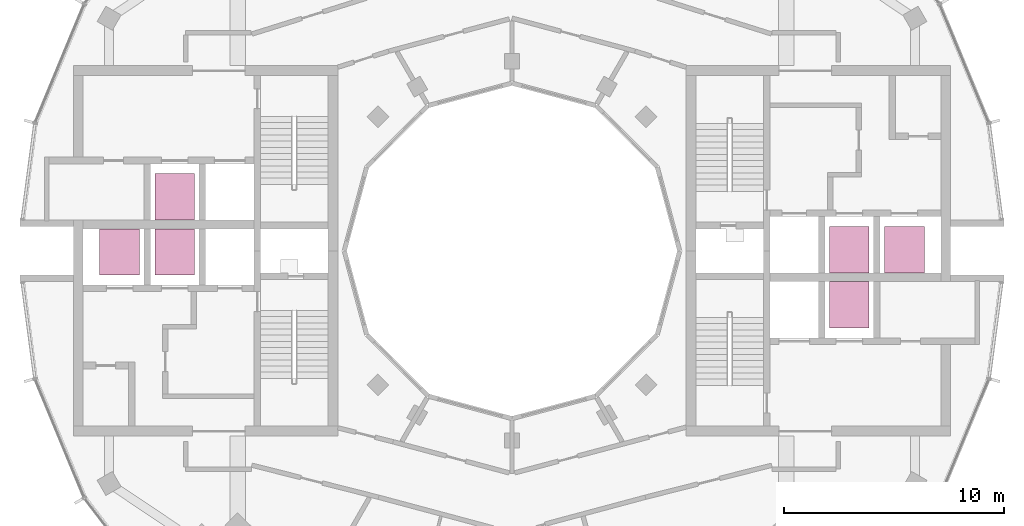
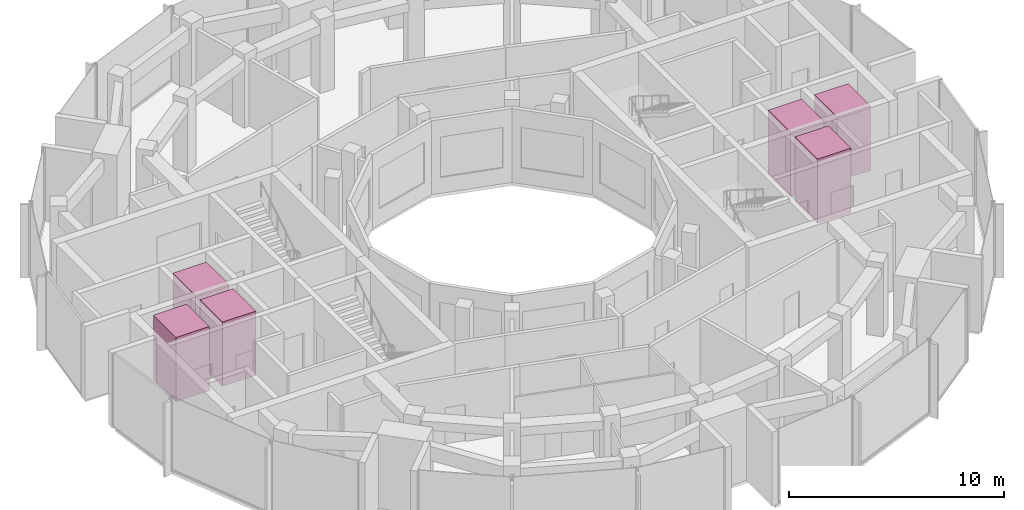
# One storey, part 13 of 13: 6 transport elements.
"""IFC4 building model written with IfcOpenShell, lengths in metres."""

import ifcopenshell
import ifcopenshell.guid

model = None  # the IFC model being written
_history = None  # IfcOwnerHistory: only IFC2X3 demands one
_inside = {}  # id of a spatial element -> (the spatial element, [elements in it])
_under = {}  # id of a project, library or spatial element -> (it, [spatial elements below it])
_declared = {}  # id of a project -> (the project, [libraries it declares])
_typed = {}  # id of a type object -> (the type object, [elements of that type])
_made_of = {}  # id of a material, layer set ... -> (it, [elements and type objects made of it])


def new_model(schema):
    """Start an empty IFC model of exactly this schema.

    Asked for "IFC4X3", IfcOpenShell would pick the latest addendum, in which some entities
    have other attributes; the version numbers below select the first issue.
    IFC2X3 requires an IfcOwnerHistory on every rooted entity: one is made here for all.
    """
    global model, _history
    if schema == "IFC4X3":
        model = ifcopenshell.file(schema_version=(4, 3, 0, 0))
    else:
        model = ifcopenshell.file(schema=schema)
    _inside.clear()
    _under.clear()
    _declared.clear()
    _typed.clear()
    _made_of.clear()
    _history = None
    if model.schema == "IFC2X3":
        org = make("IfcOrganization", Name="unknown")
        user = make(
            "IfcPersonAndOrganization",
            ThePerson=make("IfcPerson", FamilyName="unknown"),
            TheOrganization=org,
        )
        app = make(
            "IfcApplication",
            ApplicationDeveloper=org,
            Version="unknown",
            ApplicationFullName="unknown",
            ApplicationIdentifier="unknown",
        )
        _history = make(
            "IfcOwnerHistory",
            OwningUser=user,
            OwningApplication=app,
            ChangeAction="ADDED",
            CreationDate=0,
        )
    return model


def make(cls, **values):
    """One entity of the class cls with the attributes given. An attribute that is None is left unset."""
    return model.create_entity(
        cls, **{name: value for name, value in values.items() if value is not None}
    )


def rooted(cls, **values):
    """An entity with a GlobalId (a new one), such as an element, a storey or a relation."""
    return make(cls, GlobalId=ifcopenshell.guid.new(), OwnerHistory=_history, **values)


def si_unit(unit_type, name, prefix=None):
    """IfcSIUnit, for example si_unit("LENGTHUNIT", "METRE", prefix="MILLI")."""
    return make("IfcSIUnit", UnitType=unit_type, Prefix=prefix, Name=name)


def assignment(units):
    """IfcUnitAssignment: the units of a project."""
    return None if units is None else make("IfcUnitAssignment", Units=units)


def point(xyz):
    """IfcCartesianPoint."""
    return None if xyz is None else make("IfcCartesianPoint", Coordinates=xyz)


def direction(xyz):
    """IfcDirection."""
    return None if xyz is None else make("IfcDirection", DirectionRatios=xyz)


def frame(location, z_axis=None, x_axis=None):
    """IfcAxis2Placement3D, a coordinate frame: its origin and axes. An axis left out is left unset."""
    return make(
        "IfcAxis2Placement3D",
        Location=point(location),
        Axis=direction(z_axis),
        RefDirection=direction(x_axis),
    )


def frame_2d(location, x_axis=None):
    """IfcAxis2Placement2D, a coordinate frame in the plane: its origin and x axis."""
    return make(
        "IfcAxis2Placement2D", Location=point(location), RefDirection=direction(x_axis)
    )


def origin():
    """The frame at (0, 0, 0) with its axes left unset."""
    return frame((0.0, 0.0, 0.0))


def origin_2d():
    """The frame at (0, 0) in the plane with its x axis left unset."""
    return frame_2d((0.0, 0.0))


def place(relative_to, where):
    """IfcLocalPlacement: puts the frame where relative to a parent placement (None: the world)."""
    return make(
        "IfcLocalPlacement", PlacementRelTo=relative_to, RelativePlacement=where
    )


def context(
    kind, dimensions, precision=None, world=None, true_north=None, identifier=None
):
    """IfcGeometricRepresentationContext, for example the 3D "Model" context."""
    return make(
        "IfcGeometricRepresentationContext",
        ContextIdentifier=identifier,
        ContextType=kind,
        CoordinateSpaceDimension=dimensions,
        Precision=precision,
        WorldCoordinateSystem=world,
        TrueNorth=true_north,
    )


def subcontext(parent, identifier, kind, view, scale=None):
    """IfcGeometricRepresentationSubContext, for example "Body" below "Model"."""
    return make(
        "IfcGeometricRepresentationSubContext",
        ContextIdentifier=identifier,
        ContextType=kind,
        ParentContext=parent,
        TargetScale=scale,
        TargetView=view,
    )


def project(units=None, contexts=None):
    """IfcProject with its units and contexts."""
    return rooted(
        "IfcProject",
        Name="project",
        RepresentationContexts=contexts,
        UnitsInContext=assignment(units),
    )


def spatial(cls, under=None, at=None, **own):
    """A site, building, storey or space (cls), placed at a placement, below another one or the project."""
    s = rooted(cls, ObjectPlacement=at, **own)
    if under is not None:
        _under.setdefault(under.id(), (under, []))[1].append(s)
    return s


def profile(cls, at=None, kind="AREA", **sizes):
    """A parametric profile (cls). Its sizes go by their IFC names, for example OverallWidth=200.0."""
    return make(cls, ProfileType=kind, Position=at, **sizes)


def rectangle(**sizes):
    """IfcRectangleProfileDef."""
    return profile("IfcRectangleProfileDef", **sizes)


def extrude(swept, where, along, depth):
    """IfcExtrudedAreaSolid: the profile swept, set in the frame where, extruded along a direction by depth."""
    return make(
        "IfcExtrudedAreaSolid",
        SweptArea=swept,
        Position=where,
        ExtrudedDirection=direction(along),
        Depth=depth,
    )


def shape(context_of_items, identifier, shape_type, items):
    """IfcShapeRepresentation: the items that make up one representation, for example the "Body"."""
    return make(
        "IfcShapeRepresentation",
        ContextOfItems=context_of_items,
        RepresentationIdentifier=identifier,
        RepresentationType=shape_type,
        Items=items,
    )


def material(Name=None, Category=None):
    """IfcMaterial."""
    return make("IfcMaterial", Name=Name, Category=Category)


def made_of(thing, what):
    """Note that an element or type object is made of a material, layer set ...; save() writes the relation."""
    if what is not None:
        _made_of.setdefault(what.id(), (what, []))[1].append(thing)
    return thing


def type_object(cls, material=None, **own):
    """A type object (cls), such as IfcWallType, which elements share."""
    return made_of(rooted(cls, **own), material)


def element(
    cls,
    number,
    at=None,
    inside=None,
    cuts=None,
    type_object=None,
    material=None,
    context=None,
    identifier="Body",
    shape_type=None,
    held_by="IfcProductDefinitionShape",
    body=None,
    shapes=None,
    **own,
):
    """One element of the class cls, such as IfcWall. Its Tag is "e" and its number.

    at: its placement. inside: the storey or other place that contains it. cuts: it is an
    opening in that element (IfcRelVoidsElement). A single representation is given by context,
    identifier, shape_type and body (its items); several are given by shapes. held_by: the class
    of the entity that holds the representations. save() writes the other relations.
    """
    e = rooted(cls, Tag="e%d" % number, ObjectPlacement=at, **own)
    if body is not None:
        shapes = [shape(context, identifier, shape_type, body)]
    if shapes is not None:
        e.Representation = make(held_by, Representations=shapes)
    if inside is not None:
        _inside.setdefault(inside.id(), (inside, []))[1].append(e)
    if cuts is not None:
        rooted(
            "IfcRelVoidsElement", RelatingBuildingElement=cuts, RelatedOpeningElement=e
        )
    if type_object is not None:
        _typed.setdefault(type_object.id(), (type_object, []))[1].append(e)
    return made_of(e, material)


def aggregate(whole, parts):
    """IfcRelAggregates: a whole, such as a stair, and the parts it consists of."""
    return rooted("IfcRelAggregates", RelatingObject=whole, RelatedObjects=parts)


def save(model, path):
    """Write the relations noted so far, then the file.

    IfcRelAggregates (storeys below a building ...), IfcRelContainedInSpatialStructure (elements
    in a storey), IfcRelDefinesByType, IfcRelAssociatesMaterial and IfcRelDeclares: one each for
    every whole, place, type object, material and project.
    """
    for whole, parts in _under.values():
        aggregate(whole, parts)
    for where, things in _inside.values():
        rooted(
            "IfcRelContainedInSpatialStructure",
            RelatedElements=things,
            RelatingStructure=where,
        )
    for kind, things in _typed.values():
        rooted("IfcRelDefinesByType", RelatedObjects=things, RelatingType=kind)
    for what, things in _made_of.values():
        rooted("IfcRelAssociatesMaterial", RelatedObjects=things, RelatingMaterial=what)
    for by, libraries in _declared.values():
        rooted("IfcRelDeclares", RelatingContext=by, RelatedDefinitions=libraries)
    model.write(path)


model = new_model("IFC4")

# Units and contexts
model_context = context("Model", 3, precision=1e-05, world=origin(), true_north=direction((0.0, 1.0)))
body_context = subcontext(model_context, "Body", "Model", "MODEL_VIEW")
ifc_project = project(units=[si_unit("LENGTHUNIT", "METRE"), si_unit("AREAUNIT", "SQUARE_METRE"), si_unit("VOLUMEUNIT", "CUBIC_METRE"), si_unit("PLANEANGLEUNIT", "RADIAN"), si_unit("MASSUNIT", "GRAM", prefix="KILO")], contexts=[model_context])

# Site, building, storey
site_placement = place(None, origin())
site = spatial("IfcSite", under=ifc_project, at=site_placement, CompositionType="ELEMENT")
building_placement = place(site_placement, origin())
building = spatial("IfcBuilding", under=site, at=building_placement, Name="Torre Brocal", CompositionType="ELEMENT")
storey_placement = place(building_placement, frame((0.0, 0.0, 296.699951171875)))
storey = spatial("IfcBuildingStorey", under=building, at=storey_placement, Name="L68", CompositionType="ELEMENT", Elevation=296.699951171875)

# Transport elements
ifc_material = material(Name="Stainless steel AISI 316", Category="steel")
transport_element_type = type_object("IfcTransportElementType", Name="PASSENGER LIFT", PredefinedType="ELEVATOR", material=ifc_material)
for number, where, z_axis, x_axis, name in (
    (1, (95.300048828125, 75.050048828125, 0.0), (0.0, 0.0, 1.0), (1.0, 0.0, 0.0), "HIGH RISE LIFT E-HR1"),
    (2, (95.300048828125, 72.550048828125, 0.0), (0.0, 0.0, 1.0), (1.0, 0.0, 0.0), "HIGH RISE LIFT E-HR2"),
    (3, (97.800048828125, 75.050048828125, 0.0), (0.0, 0.0, 1.0), (1.0, 0.0, 0.0), "HIGH RISE LIFT E-HR3"),
    (4, (64.699951171875, 74.949951171875, 0.0), (0.0, 0.0, 1.0), (1.0, 0.0, 0.0), "HIGH RISE LIFT W-HR1"),
    (5, (64.699951171875, 77.449951171875, 0.0), (0.0, 0.0, 1.0), (1.0, 0.0, 0.0), "HIGH RISE LIFT W-HR2"),
    (6, (62.199951171875, 74.949951171875, 0.0), (0.0, 0.0, 1.0), (1.0, 0.0, 0.0), "HIGH RISE LIFT W-HR3"),
):
    element("IfcTransportElement", number, at=place(storey_placement, frame(where, z_axis=z_axis, x_axis=x_axis)), inside=storey, type_object=transport_element_type, Name=name, PredefinedType="ELEVATOR", context=body_context, shape_type="SweptSolid", body=[
        extrude(rectangle(XDim=1.800048828125, YDim=2.10009765625, at=origin_2d()), origin(), (0.0, 0.0, 1.0), 3.64990234375),
    ])

save(model, "model.ifc")
